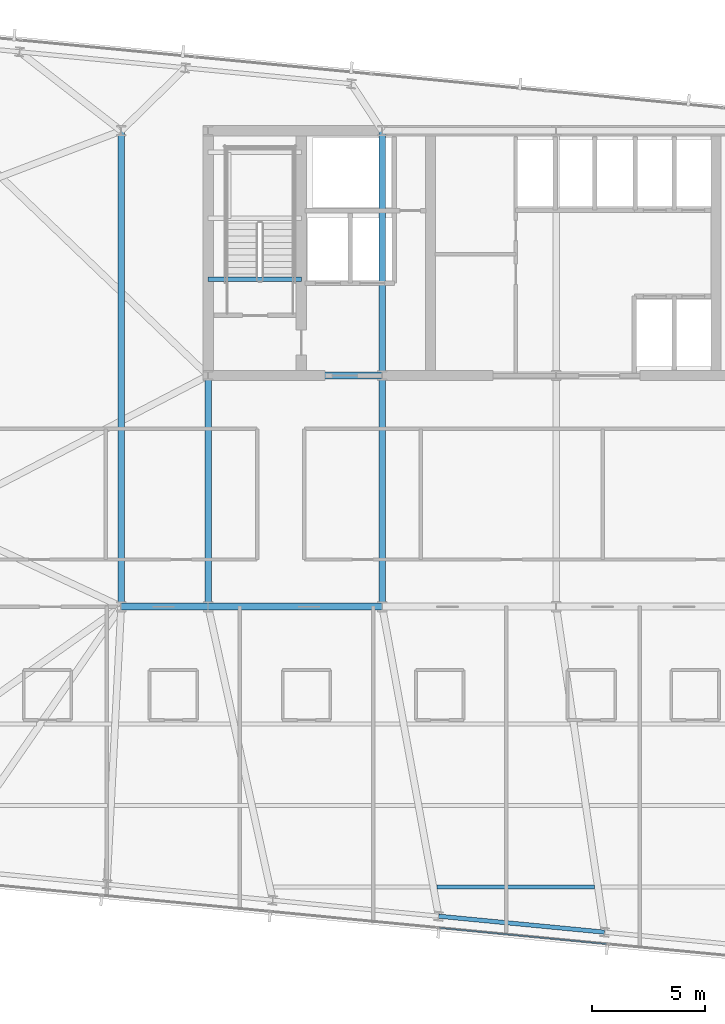
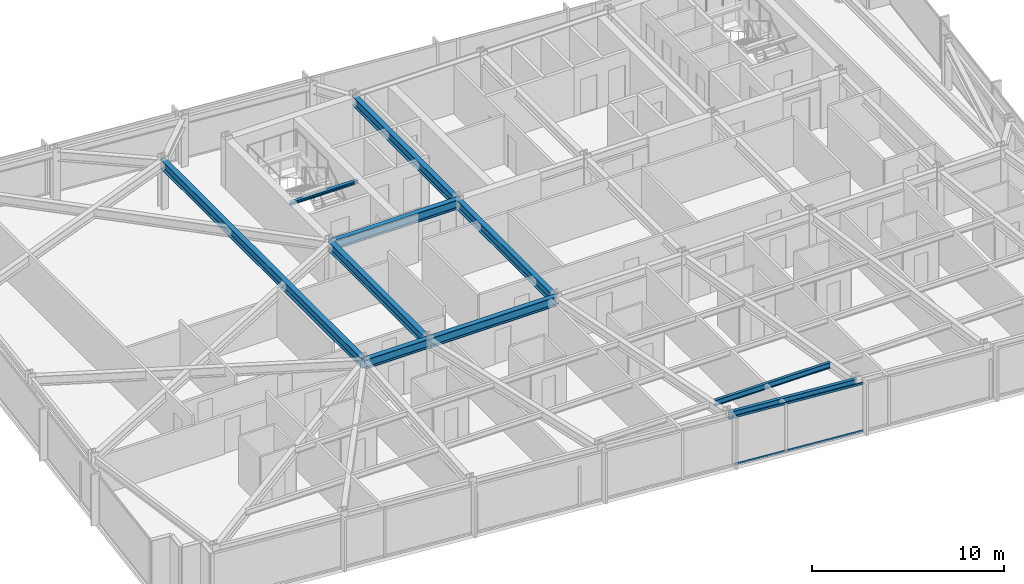
# One storey, part 11 of 37: 10 beams, 2 members, 1 element without a shape of its own.
"""IFC4 building model written with IfcOpenShell, lengths in metres."""

from ifc_helpers import new_model, si_unit, direction, frame, origin, origin_2d, place, context, subcontext, project, spatial, hollow_rectangle, i_section, extrude, material, material_profile, profile_set, type_object, element, aggregate, save


model = new_model("IFC4")

# Units and contexts
model_context = context("Model", 3, precision=1e-05, world=origin(), true_north=direction((0.0, 1.0)))
body_context = subcontext(model_context, "Body", "Model", "MODEL_VIEW")
ifc_project = project(units=[si_unit("LENGTHUNIT", "METRE"), si_unit("AREAUNIT", "SQUARE_METRE"), si_unit("VOLUMEUNIT", "CUBIC_METRE"), si_unit("PLANEANGLEUNIT", "RADIAN"), si_unit("MASSUNIT", "GRAM", prefix="KILO")], contexts=[model_context])

# Site, building, storey
site_placement = place(None, origin())
site = spatial("IfcSite", under=ifc_project, at=site_placement, CompositionType="ELEMENT")
building_placement = place(site_placement, origin())
building = spatial("IfcBuilding", under=site, at=building_placement, Name="Yelkora Congress Tower", CompositionType="ELEMENT")
storey_placement = place(building_placement, frame((0.0, 0.0, 158.89990234375)))
storey = spatial("IfcBuildingStorey", under=building, at=storey_placement, Name="L43", CompositionType="ELEMENT", Elevation=158.89990234375)

# Beams
ifc_material_1 = material(Name="Steel S355J2", Category="steel")
ifc_material_profile_1 = material_profile(ifc_material_1, i_section(OverallWidth=0.300048828125, OverallDepth=0.60009765625, WebThickness=0.015380859375, FlangeThickness=0.030029296875, FilletRadius=0.027099609375, at=origin_2d()), Name="HEB 600")
ifc_profile_set_1 = profile_set([ifc_material_profile_1], Name="Steel S355J2")
beam_type_1 = type_object("IfcBeamType", Name="BM-GIRD-HEB600", PredefinedType="BEAM", material=ifc_profile_set_1)
beam_1_placement = place(storey_placement, frame((19.199951171875, 25.199951171875, 2.780029296875), z_axis=(1.0, 0.0, 0.0), x_axis=(0.0, 1.0, 0.0)))
element("IfcBeam", 1, at=beam_1_placement, inside=storey, type_object=beam_type_1, Name="L43 Spine Grid D Girder 1", PredefinedType="BEAM", context=body_context, shape_type="SweptSolid", body=[
    extrude(i_section(OverallWidth=0.300048828125, OverallDepth=0.60009765625, WebThickness=0.015380859375, FlangeThickness=0.030029296875, FilletRadius=0.027099609375, at=origin_2d()), origin(), (0.0, 0.0, 1.0), 3.840087890625),
])
for number, where, z_axis, x_axis, name in (
    (2, (23.0400390625, 25.199951171875, 2.780029296875), (1.0, 0.0, 0.0), (0.0, 1.0, 0.0), "L43 Spine Grid D Girder 2"),
    (3, (23.0400390625, 35.39990234375, 2.780029296875), (1.0, 0.0, 0.0), (0.0, 1.0, 0.0), "L43 Core South Girder 1"),
):
    element("IfcBeam", number, at=place(storey_placement, frame(where, z_axis=z_axis, x_axis=x_axis)), inside=storey, type_object=beam_type_1, Name=name, PredefinedType="BEAM", context=body_context, shape_type="SweptSolid", body=[
        extrude(i_section(OverallWidth=0.300048828125, OverallDepth=0.60009765625, WebThickness=0.015380859375, FlangeThickness=0.030029296875, FilletRadius=0.027099609375, at=origin_2d()), origin(), (0.0, 0.0, 1.0), 7.679931640625),
    ])
for number, where, z_axis, x_axis, name in (
    (4, (23.0400390625, 25.199951171875, 2.780029296875), (0.0, 1.0, 0.0), (-1.0, 0.0, 0.0), "L43 Core Tie Girder MC-D1"),
    (5, (30.719970703125, 25.199951171875, 2.780029296875), (0.0, 1.0, 0.0), (-1.0, 0.0, 0.0), "L43 Core Tie Girder MC-D2"),
):
    element("IfcBeam", number, at=place(storey_placement, frame(where, z_axis=z_axis, x_axis=x_axis)), inside=storey, type_object=beam_type_1, Name=name, PredefinedType="BEAM", context=body_context, shape_type="SweptSolid", body=[
        extrude(i_section(OverallWidth=0.300048828125, OverallDepth=0.60009765625, WebThickness=0.015380859375, FlangeThickness=0.030029296875, FilletRadius=0.027099609375, at=origin_2d()), origin(), (0.0, 0.0, 1.0), 10.199951171875),
    ])
beam_2_placement = place(storey_placement, frame((30.719970703125, 35.39990234375, 2.780029296875), z_axis=(0.0, 1.0, 0.0), x_axis=(-1.0, 0.0, 0.0)))
element("IfcBeam", 6, at=beam_2_placement, inside=storey, type_object=beam_type_1, Name="L43 Core Tie Girder MC-S2", PredefinedType="BEAM", context=body_context, shape_type="SweptSolid", body=[
    extrude(i_section(OverallWidth=0.300048828125, OverallDepth=0.60009765625, WebThickness=0.015380859375, FlangeThickness=0.030029296875, FilletRadius=0.027099609375, at=origin_2d()), origin(), (0.0, 0.0, 1.0), 10.800048828125),
])
beam_3_placement = place(storey_placement, frame((19.199951171875, 25.199951171875, 2.780029296875), z_axis=(0.0, 1.0, 0.0), x_axis=(-1.0, 0.0, 0.0)))
element("IfcBeam", 7, at=beam_3_placement, inside=storey, type_object=beam_type_1, Name="L43 Neck Flank Girder MC-F1", PredefinedType="BEAM", context=body_context, shape_type="SweptSolid", body=[
    extrude(i_section(OverallWidth=0.300048828125, OverallDepth=0.60009765625, WebThickness=0.015380859375, FlangeThickness=0.030029296875, FilletRadius=0.027099609375, at=origin_2d()), origin(), (0.0, 0.0, 1.0), 21.0),
])
ifc_material_profile_2 = material_profile(ifc_material_1, i_section(OverallWidth=0.169921875, OverallDepth=0.360107421875, WebThickness=0.008056640625, FlangeThickness=0.0126953125, FilletRadius=0.01806640625, at=origin_2d()), Name="IPE 360")
ifc_profile_set_2 = profile_set([ifc_material_profile_2], Name="Steel S355J2")
beam_type_2 = type_object("IfcBeamType", Name="BM-JOIST-IPE360", PredefinedType="JOIST", material=ifc_profile_set_2)
beam_4_placement = place(storey_placement, frame((33.137939453125, 12.8212890625, 2.900146484375), z_axis=(1.0, 0.0, 0.0), x_axis=(0.0, 1.0, 0.0)))
element("IfcBeam", 8, at=beam_4_placement, inside=storey, type_object=beam_type_2, Name="L43 Composite Floor Joist 2", PredefinedType="JOIST", context=body_context, shape_type="SweptSolid", body=[
    extrude(i_section(OverallWidth=0.169921875, OverallDepth=0.360107421875, WebThickness=0.008056640625, FlangeThickness=0.0126953125, FilletRadius=0.01806640625, at=origin_2d()), origin(), (0.0, 0.0, 1.0), 6.94189453125),
])
ifc_material_profile_3 = material_profile(ifc_material_1, i_section(OverallWidth=0.199951171875, OverallDepth=0.18994140625, WebThickness=0.006591796875, FlangeThickness=0.010009765625, FilletRadius=0.01806640625, at=origin_2d()), Name="HEA 200")
ifc_profile_set_3 = profile_set([ifc_material_profile_3], Name="Steel S355J2")
beam_type_3 = type_object("IfcBeamType", Name="BM-LAND-HEA200", PredefinedType="BEAM", material=ifc_profile_set_3)
beam_5_placement = place(storey_placement, frame((23.0400390625, 39.639892578125, 2.85400390625), z_axis=(1.0, 0.0, 0.0), x_axis=(0.0, 1.0, 0.0)))
element("IfcBeam", 9, at=beam_5_placement, inside=storey, type_object=beam_type_3, Name="ST-01 L43 Floor Arrival Stringer Header Beam", PredefinedType="BEAM", context=body_context, shape_type="SweptSolid", body=[
    extrude(i_section(OverallWidth=0.199951171875, OverallDepth=0.18994140625, WebThickness=0.006591796875, FlangeThickness=0.010009765625, FilletRadius=0.01806640625, at=origin_2d()), origin(), (0.0, 0.0, 1.0), 4.10986328125),
])
ifc_material_profile_4 = material_profile(ifc_material_1, i_section(OverallWidth=0.18994140625, OverallDepth=0.449951171875, WebThickness=0.009521484375, FlangeThickness=0.0146484375, FilletRadius=0.02099609375, at=origin_2d()), Name="IPE 450")
ifc_profile_set_4 = profile_set([ifc_material_profile_4], Name="Steel S355J2")
beam_type_4 = type_object("IfcBeamType", Name="BM-SPAN-IPE450", PredefinedType="SPANDREL", material=ifc_profile_set_4)
beam_6_placement = place(storey_placement, frame((33.21240234375, 11.53662109375, 2.85498046875), z_axis=(0.995397104697, -0.095836339457, 0.0), x_axis=(0.095836339457, 0.995397104697, 0.0)))
element("IfcBeam", 10, at=beam_6_placement, inside=storey, type_object=beam_type_4, Name="L43 Perimeter Beam 6", PredefinedType="SPANDREL", context=body_context, shape_type="SweptSolid", body=[
    extrude(i_section(OverallWidth=0.18994140625, OverallDepth=0.449951171875, WebThickness=0.009521484375, FlangeThickness=0.0146484375, FilletRadius=0.02099609375, at=origin_2d()), origin(), (0.0, 0.0, 1.0), 7.357177734375),
])

# Curtain wall, members
ifc_material_2 = material(Name="Anodised aluminium and insulated glass", Category="aluminium")
curtain_wall_type = type_object("IfcCurtainWallType", Name="CW-SYS-B3", PredefinedType="NOTDEFINED", material=ifc_material_2)
curtain_wall_placement = place(storey_placement, origin())
curtain_wall = element("IfcCurtainWall", 11, at=curtain_wall_placement, inside=storey, type_object=curtain_wall_type, Name="L43 Unitised Curtain Wall 20", PredefinedType="NOTDEFINED")
ifc_material_3 = material(Name="Anodised aluminium 6063-T6", Category="aluminium")
ifc_material_profile_5 = material_profile(ifc_material_3, hollow_rectangle(XDim=0.06005859375, YDim=0.1298828125, WallThickness=0.00390625, at=origin_2d()), Name="ALU 60x130x4")
ifc_profile_set_5 = profile_set([ifc_material_profile_5], Name="Anodised aluminium 6063-T6")
member_type = type_object("IfcMemberType", Name="MEM-TR-B3", PredefinedType="USERDEFINED", material=ifc_profile_set_5)
member_1_placement = place(storey_placement, frame((40.626708984375, 10.310302734375, 0.030029296875), z_axis=(-0.99539548672, 0.095853142967, 0.0), x_axis=(-0.095853142967, -0.99539548672, 0.0)))
member_1 = element("IfcMember", 12, at=member_1_placement, type_object=member_type, Name="CW-B3 transom 3.1", ObjectType="TRANSOM", PredefinedType="USERDEFINED", context=body_context, shape_type="SweptSolid", body=[
    extrude(hollow_rectangle(XDim=0.06005859375, YDim=0.1298828125, WallThickness=0.00390625, at=origin_2d()), origin(), (0.0, 0.0, 1.0), 7.404296875),
])
member_2_placement = place(storey_placement, frame((40.626708984375, 10.310302734375, 3.050048828125), z_axis=(-0.99539548672, 0.095853142967, 0.0), x_axis=(-0.095853142967, -0.99539548672, 0.0)))
member_2 = element("IfcMember", 13, at=member_2_placement, type_object=member_type, Name="CW-B3 transom 3.2", ObjectType="TRANSOM", PredefinedType="USERDEFINED", context=body_context, shape_type="SweptSolid", body=[
    extrude(hollow_rectangle(XDim=0.06005859375, YDim=0.1298828125, WallThickness=0.00390625, at=origin_2d()), origin(), (0.0, 0.0, 1.0), 7.404296875),
])
aggregate(curtain_wall, [member_1, member_2])

save(model, "model.ifc")
